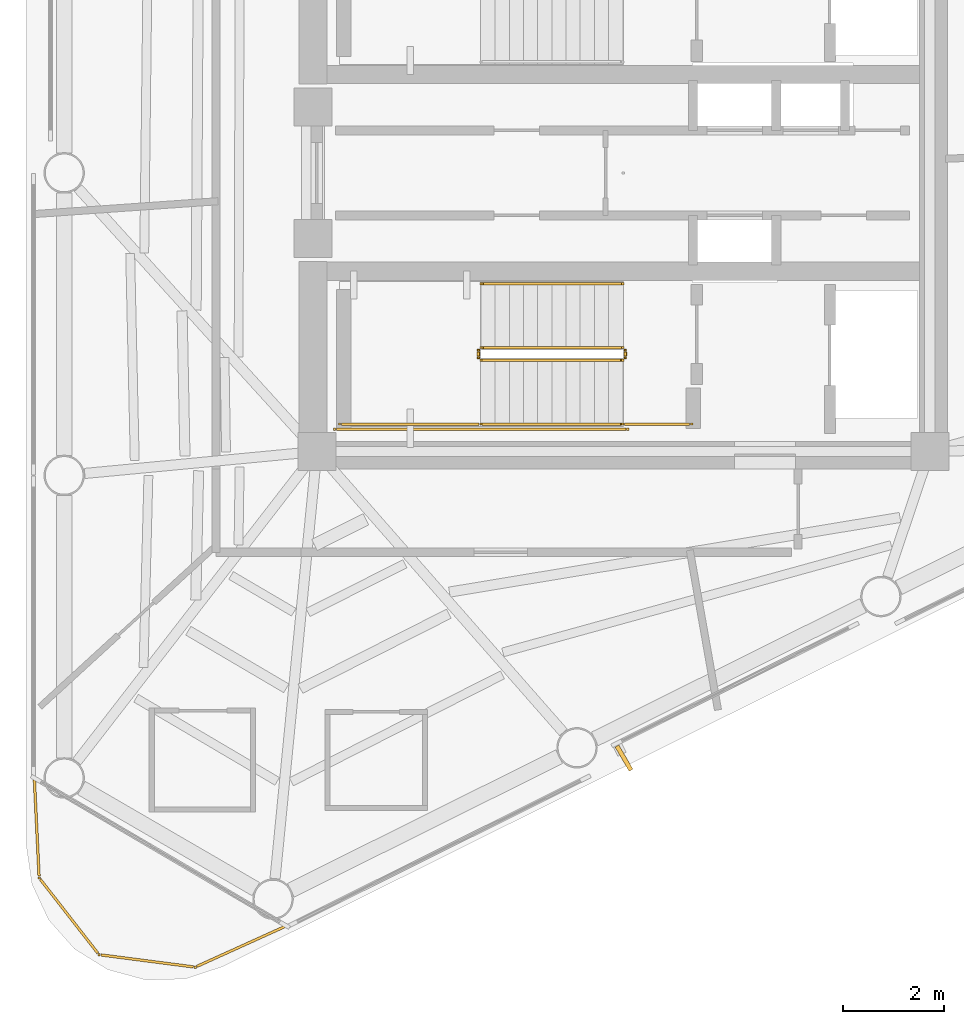
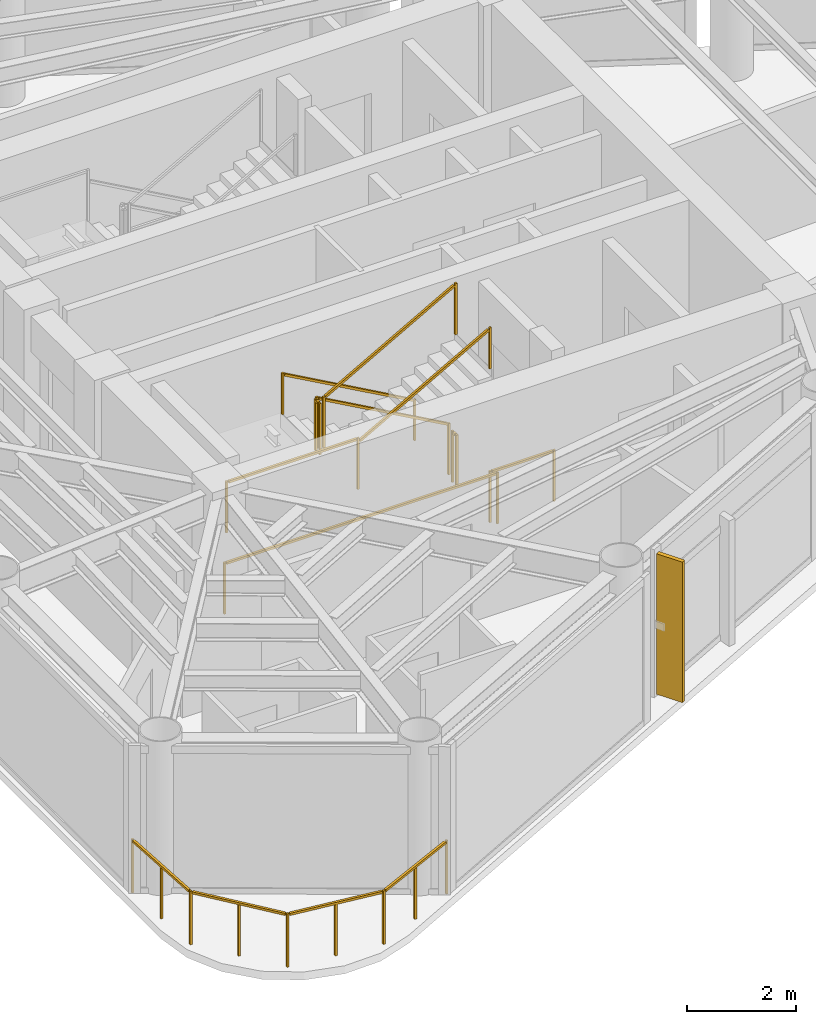
# One storey, part 7 of 10: 10 railings, 1 shading device.
"""IFC4 building model written with IfcOpenShell, lengths in metres."""

from ifc_helpers import new_model, si_unit, direction, frame, origin, origin_2d, place, context, subcontext, project, spatial, rectangle, extrude, source, transform, mapped, material, material_profile, profile_set, type_object, element, save


model = new_model("IFC4")

# Units and contexts
model_context = context("Model", 3, precision=1e-05, world=origin(), true_north=direction((0.0, 1.0)))
body_context = subcontext(model_context, "Body", "Model", "MODEL_VIEW")
ifc_project = project(units=[si_unit("LENGTHUNIT", "METRE"), si_unit("AREAUNIT", "SQUARE_METRE"), si_unit("VOLUMEUNIT", "CUBIC_METRE"), si_unit("PLANEANGLEUNIT", "RADIAN"), si_unit("MASSUNIT", "GRAM", prefix="KILO")], contexts=[model_context])

# Site, building, storey
site_placement = place(None, origin())
site = spatial("IfcSite", under=ifc_project, at=site_placement, CompositionType="ELEMENT")
building_placement = place(site_placement, origin())
building = spatial("IfcBuilding", under=site, at=building_placement, Name="Yunling Apex Tower", CompositionType="ELEMENT")
storey_placement = place(building_placement, frame((0.0, 0.0, 307.10009765625)))
storey = spatial("IfcBuildingStorey", under=building, at=storey_placement, Name="L75", CompositionType="ELEMENT", Elevation=307.10009765625)

# Railings
ifc_material_1 = material(Name="Bronze anodised aluminium", Category="aluminium")
railing_type_1 = type_object("IfcRailingType", Name="RL-BAL-1200", PredefinedType="BALUSTRADE", material=ifc_material_1)
railing_1_placement = place(storey_placement, frame((-6.651123046875, -14.864990234375, 0.0)))
element("IfcRailing", 1, at=railing_1_placement, inside=storey, type_object=railing_type_1, Name="RL-CRNSILL-L75-3", PredefinedType="BALUSTRADE", context=body_context, shape_type="SweptSolid", body=[
    extrude(rectangle(XDim=0.0439453125, YDim=0.0439453125, at=origin_2d()), origin(), (0.0, 0.0, 1.0), 1.199951171875),
    extrude(rectangle(XDim=0.0439453125, YDim=0.0439453125, at=origin_2d()), frame((-1.799560546875, -0.814697265625, 0.0)), (0.0, 0.0, 1.0), 1.199951171875),
    extrude(rectangle(XDim=0.050048828125, YDim=0.050048828125, at=origin_2d()), frame((-0.034912109375, -0.015869140625, 1.1748046875), z_axis=(-0.910991856267, -0.412424341929, 0.0), x_axis=(0.412424341929, -0.910991856267, 0.0)), (0.0, 0.0, 1.0), 1.898681640625),
    extrude(rectangle(XDim=0.0439453125, YDim=0.0439453125, at=origin_2d()), frame((-0.89990234375, -0.4072265625, 0.0)), (0.0, 0.0, 1.0), 1.14599609375),
    extrude(rectangle(XDim=0.0439453125, YDim=0.0439453125, at=origin_2d()), frame((-3.69921875, -0.568603515625, 0.0)), (0.0, 0.0, 1.0), 1.199951171875),
    extrude(rectangle(XDim=0.050048828125, YDim=0.050048828125, at=origin_2d()), frame((-1.837646484375, -0.809814453125, 1.1748046875), z_axis=(-0.991713034877, 0.128472784881, 0.0), x_axis=(-0.128472784881, -0.991713034877, 0.0)), (0.0, 0.0, 1.0), 1.8388671875),
    extrude(rectangle(XDim=0.0439453125, YDim=0.0439453125, at=origin_2d()), frame((-2.74951171875, -0.691650390625, 0.0)), (0.0, 0.0, 1.0), 1.14599609375),
    extrude(rectangle(XDim=0.0439453125, YDim=0.0439453125, at=origin_2d()), frame((-4.880126953125, 0.947265625, 0.0)), (0.0, 0.0, 1.0), 1.199951171875),
    extrude(rectangle(XDim=0.050048828125, YDim=0.050048828125, at=origin_2d()), frame((-3.72265625, -0.538330078125, 1.1748046875), z_axis=(-0.61455614591, 0.788873084548, 0.0), x_axis=(-0.788873084548, -0.61455614591, 0.0)), (0.0, 0.0, 1.0), 1.844970703125),
    extrude(rectangle(XDim=0.0439453125, YDim=0.0439453125, at=origin_2d()), frame((-4.28955078125, 0.189453125, 0.0)), (0.0, 0.0, 1.0), 1.14599609375),
    extrude(rectangle(XDim=0.0439453125, YDim=0.0439453125, at=origin_2d()), frame((-4.97607421875, 2.919677734375, 0.0)), (0.0, 0.0, 1.0), 1.199951171875),
    extrude(rectangle(XDim=0.050048828125, YDim=0.050048828125, at=origin_2d()), frame((-4.882080078125, 0.985595703125, 1.1748046875), z_axis=(-0.048587182269, 0.998818945415, 0.0), x_axis=(-0.998818945415, -0.048587182269, 0.0)), (0.0, 0.0, 1.0), 1.898193359375),
    extrude(rectangle(XDim=0.0439453125, YDim=0.0439453125, at=origin_2d()), frame((-4.92822265625, 1.93359375, 0.0)), (0.0, 0.0, 1.0), 1.14599609375),
])
ifc_material_2 = material(Name="Steel Q355B", Category="steel")
railing_type_2 = type_object("IfcRailingType", Name="RL-GRD-1150", PredefinedType="GUARDRAIL", material=ifc_material_2)
railing_2_placement = place(storey_placement, frame((-0.010009765625, -3.449951171875, 0.15673828125)))
element("IfcRailing", 2, at=railing_2_placement, inside=storey, type_object=railing_type_2, Name="L75 ST-2 stair guard 1", PredefinedType="GUARDRAIL", context=body_context, shape_type="SweptSolid", body=[
    extrude(rectangle(XDim=0.0439453125, YDim=0.0439453125, at=origin_2d()), origin(), (0.0, 0.0, 1.0), 1.14990234375),
    extrude(rectangle(XDim=0.0439453125, YDim=0.0439453125, at=origin_2d()), frame((-2.800048828125, 0.0, 1.568115234375)), (0.0, 0.0, 1.0), 1.14990234375),
    extrude(rectangle(XDim=0.050048828125, YDim=0.050048828125, at=origin_2d()), frame((-0.033447265625, 0.0, 1.1435546875), z_axis=(-0.872494340497, 0.0, 0.48862421737), x_axis=(0.0, -1.0, 0.0)), (0.0, 0.0, 1.0), 3.132568359375),
])
railing_3_placement = place(storey_placement, frame((-2.860107421875, -3.5, 1.724853515625)))
element("IfcRailing", 3, at=railing_3_placement, inside=storey, type_object=railing_type_2, Name="L75 ST-2 stair guard 2", PredefinedType="GUARDRAIL", context=body_context, shape_type="SweptSolid", body=[
    extrude(rectangle(XDim=0.0439453125, YDim=0.0439453125, at=origin_2d()), origin(), (0.0, 0.0, 1.0), 1.14990234375),
    extrude(rectangle(XDim=0.0439453125, YDim=0.0439453125, at=origin_2d()), frame((0.0, -0.14990234375, 0.0)), (0.0, 0.0, 1.0), 1.14990234375),
    extrude(rectangle(XDim=0.050048828125, YDim=0.050048828125, at=origin_2d()), frame((0.0, -0.038330078125, 1.125), z_axis=(0.0, -1.0, 0.0), x_axis=(1.0, 0.0, 0.0)), (0.0, 0.0, 1.0), 0.0732421875),
])
railing_4_placement = place(storey_placement, frame((-2.81005859375, -4.9599609375, 1.724853515625)))
element("IfcRailing", 4, at=railing_4_placement, inside=storey, type_object=railing_type_2, Name="L75 ST-2 stair guard 3", PredefinedType="GUARDRAIL", context=body_context, shape_type="SweptSolid", body=[
    extrude(rectangle(XDim=0.0439453125, YDim=0.0439453125, at=origin_2d()), origin(), (0.0, 0.0, 1.0), 1.14990234375),
    extrude(rectangle(XDim=0.0439453125, YDim=0.0439453125, at=origin_2d()), frame((-2.7900390625, 0.0, 0.0)), (0.0, 0.0, 1.0), 1.14990234375),
    extrude(rectangle(XDim=0.050048828125, YDim=0.050048828125, at=origin_2d()), frame((-0.038330078125, 0.0, 1.125), z_axis=(-1.0, 0.0, 0.0), x_axis=(0.0, -1.0, 0.0)), (0.0, 0.0, 1.0), 2.71337890625),
])
railing_5_placement = place(storey_placement, frame((-2.81005859375, -3.699951171875, 1.8818359375)))
element("IfcRailing", 5, at=railing_5_placement, inside=storey, type_object=railing_type_2, Name="L75 ST-2 stair guard 4", PredefinedType="GUARDRAIL", context=body_context, shape_type="SweptSolid", body=[
    extrude(rectangle(XDim=0.0439453125, YDim=0.0439453125, at=origin_2d()), origin(), (0.0, 0.0, 1.0), 1.14990234375),
    extrude(rectangle(XDim=0.0439453125, YDim=0.0439453125, at=origin_2d()), frame((2.800048828125, 0.0, 1.568115234375)), (0.0, 0.0, 1.0), 1.14990234375),
    extrude(rectangle(XDim=0.050048828125, YDim=0.050048828125, at=origin_2d()), frame((0.033447265625, 0.0, 1.1435546875), z_axis=(0.872494340497, 0.0, 0.48862421737), x_axis=(0.0, 1.0, 0.0)), (0.0, 0.0, 1.0), 3.132568359375),
])
railing_6_placement = place(storey_placement, frame((0.0400390625, -3.5, 0.0)))
element("IfcRailing", 6, at=railing_6_placement, inside=storey, type_object=railing_type_2, Name="L75 ST-2 stair guard 5", PredefinedType="GUARDRAIL", context=body_context, shape_type="SweptSolid", body=[
    extrude(rectangle(XDim=0.0439453125, YDim=0.0439453125, at=origin_2d()), origin(), (0.0, 0.0, 1.0), 1.14990234375),
    extrude(rectangle(XDim=0.0439453125, YDim=0.0439453125, at=origin_2d()), frame((0.0, -0.14990234375, 0.0)), (0.0, 0.0, 1.0), 1.14990234375),
    extrude(rectangle(XDim=0.050048828125, YDim=0.050048828125, at=origin_2d()), frame((0.0, -0.038330078125, 1.125), z_axis=(0.0, -1.0, 0.0), x_axis=(1.0, 0.0, 0.0)), (0.0, 0.0, 1.0), 0.0732421875),
])
railing_7_placement = place(storey_placement, frame((1.35009765625, -4.9599609375, 0.0)))
element("IfcRailing", 7, at=railing_7_placement, inside=storey, type_object=railing_type_2, Name="L75 ST-2 stair guard 6", PredefinedType="GUARDRAIL", context=body_context, shape_type="SweptSolid", body=[
    extrude(rectangle(XDim=0.0439453125, YDim=0.0439453125, at=origin_2d()), origin(), (0.0, 0.0, 1.0), 1.14990234375),
    extrude(rectangle(XDim=0.0439453125, YDim=0.0439453125, at=origin_2d()), frame((-1.360107421875, 0.0, 0.0)), (0.0, 0.0, 1.0), 1.14990234375),
    extrude(rectangle(XDim=0.050048828125, YDim=0.050048828125, at=origin_2d()), frame((-0.038330078125, 0.0, 1.125), z_axis=(-1.0, 0.0, 0.0), x_axis=(0.0, -1.0, 0.0)), (0.0, 0.0, 1.0), 1.283447265625),
])
railing_8_placement = place(storey_placement, frame((0.090087890625, -5.06005859375, 0.0)))
element("IfcRailing", 8, at=railing_8_placement, inside=storey, type_object=railing_type_2, Name="L75 ST-2 stair guard 7", PredefinedType="GUARDRAIL", context=body_context, shape_type="SweptSolid", body=[
    extrude(rectangle(XDim=0.0439453125, YDim=0.0439453125, at=origin_2d()), origin(), (0.0, 0.0, 1.0), 1.14990234375),
    extrude(rectangle(XDim=0.0439453125, YDim=0.0439453125, at=origin_2d()), frame((-5.7900390625, 0.0, 0.0)), (0.0, 0.0, 1.0), 1.14990234375),
    extrude(rectangle(XDim=0.050048828125, YDim=0.050048828125, at=origin_2d()), frame((-0.038330078125, 0.0, 1.125), z_axis=(-1.0, 0.0, 0.0), x_axis=(0.0, -1.0, 0.0)), (0.0, 0.0, 1.0), 5.71337890625),
])
ifc_material_3 = material(Name="Silver anodised aluminium", Category="aluminium")
railing_type_3 = type_object("IfcRailingType", Name="RL-HND-900", PredefinedType="HANDRAIL", material=ifc_material_3)
railing_9_placement = place(storey_placement, frame((-0.010009765625, -2.18994140625, 0.15673828125)))
element("IfcRailing", 9, at=railing_9_placement, inside=storey, type_object=railing_type_3, Name="L75 ST-2 stair handrail 1", PredefinedType="HANDRAIL", context=body_context, shape_type="SweptSolid", body=[
    extrude(rectangle(XDim=0.0439453125, YDim=0.0439453125, at=origin_2d()), origin(), (0.0, 0.0, 1.0), 0.919921875),
    extrude(rectangle(XDim=0.0439453125, YDim=0.0439453125, at=origin_2d()), frame((-2.800048828125, 0.0, 1.568115234375)), (0.0, 0.0, 1.0), 0.919921875),
    extrude(rectangle(XDim=0.050048828125, YDim=0.050048828125, at=origin_2d()), frame((-0.033447265625, 0.0, 0.91357421875), z_axis=(-0.872494340497, 0.0, 0.48862421737), x_axis=(0.0, -1.0, 0.0)), (0.0, 0.0, 1.0), 3.132568359375),
])
railing_10_placement = place(storey_placement, frame((-2.81005859375, -4.9599609375, 1.8818359375)))
element("IfcRailing", 10, at=railing_10_placement, inside=storey, type_object=railing_type_3, Name="L75 ST-2 stair handrail 2", PredefinedType="HANDRAIL", context=body_context, shape_type="SweptSolid", body=[
    extrude(rectangle(XDim=0.0439453125, YDim=0.0439453125, at=origin_2d()), origin(), (0.0, 0.0, 1.0), 0.919921875),
    extrude(rectangle(XDim=0.0439453125, YDim=0.0439453125, at=origin_2d()), frame((2.800048828125, 0.0, 1.568115234375)), (0.0, 0.0, 1.0), 0.919921875),
    extrude(rectangle(XDim=0.050048828125, YDim=0.050048828125, at=origin_2d()), frame((0.033447265625, 0.0, 0.91357421875), z_axis=(0.872494340497, 0.0, 0.48862421737), x_axis=(0.0, 1.0, 0.0)), (0.0, 0.0, 1.0), 3.132568359375),
])

# Shading device
ifc_material_profile = material_profile(ifc_material_1, rectangle(XDim=0.0849609375, YDim=0.550048828125, at=origin_2d()))
ifc_profile_set = profile_set([ifc_material_profile], Name="Bronze anodised aluminium")
shading_device_type = type_object("IfcShadingDeviceType", Name="FN-BRZ-3", PredefinedType="USERDEFINED", material=ifc_profile_set)
shared_shape = source(origin(), body_context, "Body", "SweptSolid", [
    extrude(rectangle(XDim=0.0849609375, YDim=0.550048828125, at=origin_2d()), origin(), (0.0, 0.0, 1.0), 3.14990234375),
])
shading_device_placement = place(storey_placement, frame((0.013671875, -11.553466796875, 0.06005859375), z_axis=(0.0, 0.0, 1.0), x_axis=(0.864186995248, 0.503170783377, 0.0)))
element("IfcShadingDevice", 11, at=shading_device_placement, inside=storey, type_object=shading_device_type, Name="CW-L75-F1-B2-FIN-01", ObjectType="FIN", PredefinedType="USERDEFINED", context=body_context, shape_type="MappedRepresentation", body=[
    mapped(shared_shape, transform((0.0, 0.0, 0.0), scale=1.0)),
])

save(model, "model.ifc")
